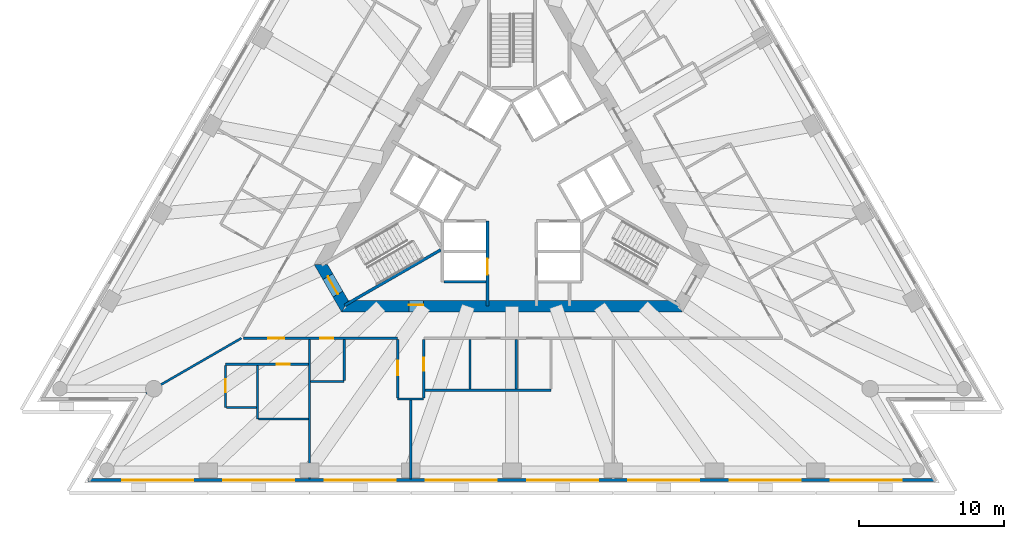
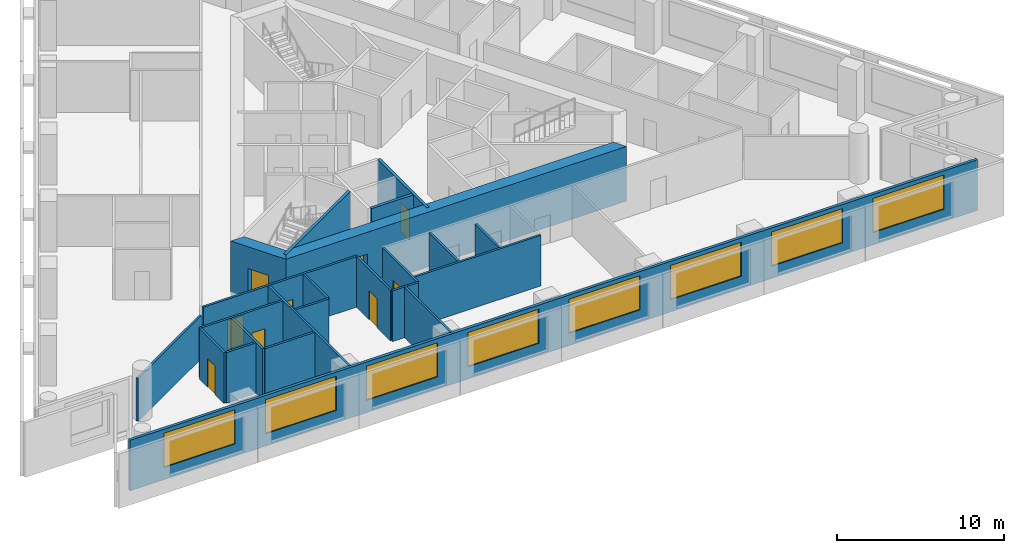
# One storey, part 3 of 10: 23 walls, 9 doors, 8 windows, 17 openings.
"""IFC4 building model written with IfcOpenShell, lengths in metres."""

from ifc_helpers import new_model, si_unit, direction, frame, frame_2d, origin, place, context, subcontext, project, spatial, polyline, rectangle, outline, extrude, material, layer, layer_set, layer_usage, type_object, element, fill, save


model = new_model("IFC4")

# Units and contexts
model_context = context("Model", 3, precision=1e-05, world=origin(), true_north=direction((0.0, 1.0)))
body_context = subcontext(model_context, "Body", "Model", "MODEL_VIEW")
ifc_project = project(units=[si_unit("LENGTHUNIT", "METRE"), si_unit("AREAUNIT", "SQUARE_METRE"), si_unit("VOLUMEUNIT", "CUBIC_METRE"), si_unit("PLANEANGLEUNIT", "RADIAN"), si_unit("MASSUNIT", "GRAM", prefix="KILO")], contexts=[model_context])

# Site, building, storey
site_placement = place(None, origin())
site = spatial("IfcSite", under=ifc_project, at=site_placement, CompositionType="ELEMENT")
building_placement = place(site_placement, origin())
building = spatial("IfcBuilding", under=site, at=building_placement, Name="Triada Interchange Tower", CompositionType="ELEMENT")
storey_placement = place(building_placement, frame((0.0, 0.0, 112.300048828125)))
storey = spatial("IfcBuildingStorey", under=building, at=storey_placement, Name="L25", CompositionType="ELEMENT", Elevation=112.300048828125)

# Wall
ifc_material_1 = material(Name="Concrete C30/37", Category="concrete")
ifc_layer_1 = layer(ifc_material_1, 0.199951171875)
ifc_layer_set_1 = layer_set([ifc_layer_1], Name="CORE WALL 200 EI 120")
wall_type_1 = type_object("IfcWallType", Name="CORE WALL 200 EI 120", PredefinedType="SOLIDWALL", material=ifc_layer_set_1)
wall_1_placement = place(storey_placement, frame((-4.699951171875, -6.89990234375, 0.0), z_axis=(0.0, 0.0, 1.0), x_axis=(1.0, 0.0, 0.0)))
element("IfcWall", 1, at=wall_1_placement, inside=storey, type_object=wall_type_1, Name="Wall L23 69", PredefinedType="SOLIDWALL", context=body_context, shape_type="SweptSolid", body=[
    extrude(rectangle(XDim=2.89990234375, YDim=0.199951171875, at=frame_2d((1.449951171875, 0.0))), origin(), (0.0, 0.0, 1.0), 3.699951171875),
])

# Wall, opening, door
wall_2_placement = place(storey_placement, frame((-1.699951171875, -8.580078125, 0.0), z_axis=(0.0, 0.0, 1.0), x_axis=(0.0, 1.0, 0.0)))
wall_2 = element("IfcWall", 2, at=wall_2_placement, inside=storey, type_object=wall_type_1, Name="Wall L23 71", PredefinedType="SOLIDWALL", context=body_context, shape_type="SweptSolid", body=[
    extrude(rectangle(XDim=5.877197265625, YDim=0.199951171875, at=frame_2d((2.9384765625, 0.0))), origin(), (0.0, 0.0, 1.0), 3.699951171875),
])
opening_1_placement = place(wall_2_placement, frame((2.179931640625, 0.0, 0.0)))
opening_1 = element("IfcOpeningElement", 3, at=opening_1_placement, cuts=wall_2, Name="Opening LD-LR4", PredefinedType="OPENING", context=body_context, shape_type="SweptSolid", body=[
    extrude(rectangle(XDim=1.10009765625, YDim=2.10009765625, at=frame_2d((0.550048828125, 1.050048828125))), frame((0.0, 0.10986328125, 0.0), z_axis=(0.0, -1.0, 0.0), x_axis=(1.0, 0.0, 0.0)), (0.0, 0.0, 1.0), 0.219970703125),
])
ifc_material_2 = material(Name="Steel S235 door leaf", Category="steel")
door_type_1 = type_object("IfcDoorType", Name="LIFT LANDING DOOR 1100 EI 120", OperationType="SLIDING_TO_LEFT", PredefinedType="DOOR", material=ifc_material_2)
door_1_placement = place(opening_1_placement, origin())
door_1 = element("IfcDoor", 4, at=door_1_placement, inside=storey, type_object=door_type_1, Name="LR4 landing door L25", OperationType="SLIDING_TO_LEFT", OverallHeight=2.10009765625, OverallWidth=1.10009765625, PredefinedType="DOOR", context=body_context, shape_type="SweptSolid", body=[
    extrude(rectangle(XDim=1.10009765625, YDim=2.10009765625, at=frame_2d((0.550048828125, 1.050048828125))), frame((0.0, 0.02490234375, 0.0), z_axis=(0.0, -1.0, 0.0), x_axis=(1.0, 0.0, 0.0)), (0.0, 0.0, 1.0), 0.050048828125),
])
fill(opening_1, door_1)

# Wall
ifc_layer_2 = layer(ifc_material_1, 0.199951171875)
ifc_layer_set_2 = layer_set([ifc_layer_2], Name="CORE WALL 200 REI 240")
wall_type_2 = type_object("IfcWallType", Name="CORE WALL 200 REI 240", PredefinedType="SOLIDWALL", material=ifc_layer_set_2)
wall_3_placement = place(storey_placement, frame((-11.56689453125, -8.52587890625, 0.0), z_axis=(0.0, 0.0, 1.0), x_axis=(0.866005769735, 0.50003400563, 0.0)))
element("IfcWall", 5, at=wall_3_placement, inside=storey, type_object=wall_type_2, Name="Wall L23 105", PredefinedType="SOLIDWALL", context=body_context, shape_type="SweptSolid", body=[
    extrude(rectangle(XDim=7.6650390625, YDim=0.199951171875, at=frame_2d((3.83251953125, 0.0))), origin(), (0.0, 0.0, 1.0), 3.699951171875),
])

# Wall, opening, door
ifc_material_3 = material(Name="Concrete C60/75", Category="concrete")
ifc_layer_3 = layer(ifc_material_3, 0.800048828125)
ifc_layer_set_3 = layer_set([ifc_layer_3], Name="Core wall B 800")
wall_type_3 = type_object("IfcWallType", Name="Core wall B 800", PredefinedType="SHEAR", material=ifc_layer_set_3)
wall_4_placement = place(storey_placement, frame((-13.220947265625, -5.699951171875, -0.300048828125), z_axis=(0.0, 0.0, 1.0), x_axis=(0.49987182685, -0.866099391942, 0.0)))
wall_4 = element("IfcWall", 6, at=wall_4_placement, inside=storey, type_object=wall_type_3, Name="Core wall WB03 L25", PredefinedType="SHEAR", context=body_context, shape_type="SweptSolid", body=[
    extrude(outline(polyline([(-0.23095703125, -0.39990234375), (1.674072265625, -0.39990234375), (3.5791015625, -0.39990234375), (3.117919921875, 0.39990234375), (1.67431640625, 0.39990234375), (0.23095703125, 0.39990234375), (-0.23095703125, -0.39990234375)])), origin(), (0.0, 0.0, 1.0), 4.0),
])
opening_2_placement = place(wall_4_placement, frame((0.97412109375, 0.0, 0.300048828125)))
opening_2 = element("IfcOpeningElement", 7, at=opening_2_placement, cuts=wall_4, Name="Opening D23-44", PredefinedType="OPENING", context=body_context, shape_type="SweptSolid", body=[
    extrude(rectangle(XDim=1.39990234375, YDim=2.10009765625, at=frame_2d((0.699951171875, 1.050048828125))), frame((0.0, 0.409912109375, 0.0), z_axis=(0.0, -1.0, 0.0), x_axis=(1.0, 0.0, 0.0)), (0.0, 0.0, 1.0), 0.820068359375),
])
door_type_2 = type_object("IfcDoorType", Name="STAIR DOOR 1400 EI2 90-C5S200", OperationType="DOUBLE_DOOR_SINGLE_SWING", PredefinedType="DOOR", material=ifc_material_2)
door_2_placement = place(opening_2_placement, origin())
door_2 = element("IfcDoor", 8, at=door_2_placement, inside=storey, type_object=door_type_2, Name="Door D23-44 L25", OperationType="DOUBLE_DOOR_SINGLE_SWING", OverallHeight=2.10009765625, OverallWidth=1.39990234375, PredefinedType="DOOR", context=body_context, shape_type="SweptSolid", body=[
    extrude(rectangle(XDim=1.39990234375, YDim=2.10009765625, at=frame_2d((0.699951171875, 1.050048828125))), frame((0.0, 0.02490234375, 0.0), z_axis=(0.0, -1.0, 0.0), x_axis=(1.0, 0.0, 0.0)), (0.0, 0.0, 1.0), 0.050048828125),
])
fill(opening_2, door_2)

wall_5_placement = place(storey_placement, frame((-11.547119140625, -8.60009765625, -0.300048828125), z_axis=(0.0, 0.0, 1.0), x_axis=(1.0, 0.0, 0.0)))
wall_5 = element("IfcWall", 9, at=wall_5_placement, inside=storey, type_object=wall_type_3, Name="Core wall WB04 L25", PredefinedType="SHEAR", context=body_context, shape_type="SweptSolid", body=[
    extrude(outline(polyline([(-0.23095703125, -0.39990234375), (1.73193359375, -0.39990234375), (3.695068359375, -0.39990234375), (5.657958984375, -0.39990234375), (7.62109375, -0.39990234375), (9.583984375, -0.39990234375), (11.546875, -0.39990234375), (13.510009765625, -0.39990234375), (15.472900390625, -0.39990234375), (17.43603515625, -0.39990234375), (19.39892578125, -0.39990234375), (21.362060546875, -0.39990234375), (23.324951171875, -0.39990234375), (22.863037109375, 0.39990234375), (20.97705078125, 0.39990234375), (19.091064453125, 0.39990234375), (17.205078125, 0.39990234375), (15.319091796875, 0.39990234375), (13.43310546875, 0.39990234375), (11.546875, 0.39990234375), (9.660888671875, 0.39990234375), (7.77490234375, 0.39990234375), (5.888916015625, 0.39990234375), (4.0029296875, 0.39990234375), (2.116943359375, 0.39990234375), (0.23095703125, 0.39990234375), (-0.23095703125, -0.39990234375)])), origin(), (0.0, 0.0, 1.0), 4.0),
])
opening_3_placement = place(wall_5_placement, frame((4.4140625, 0.0, 0.300048828125)))
opening_3 = element("IfcOpeningElement", 10, at=opening_3_placement, cuts=wall_5, Name="Opening D23-47", PredefinedType="OPENING", context=body_context, shape_type="SweptSolid", body=[
    extrude(rectangle(XDim=1.0, YDim=2.10009765625, at=frame_2d((0.5, 1.050048828125))), frame((0.0, 0.409912109375, 0.0), z_axis=(0.0, -1.0, 0.0), x_axis=(1.0, 0.0, 0.0)), (0.0, 0.0, 1.0), 0.820068359375),
])
door_type_3 = type_object("IfcDoorType", Name="SERVICE DOOR 1000 EI2 45-C5S200", OperationType="NOTDEFINED", PredefinedType="DOOR", material=ifc_material_2)
door_3_placement = place(opening_3_placement, origin())
door_3 = element("IfcDoor", 11, at=door_3_placement, inside=storey, type_object=door_type_3, Name="Door D23-47 L25", OperationType="SINGLE_SWING_LEFT", OverallHeight=2.10009765625, OverallWidth=1.0, PredefinedType="DOOR", context=body_context, shape_type="SweptSolid", body=[
    extrude(rectangle(XDim=1.0, YDim=2.10009765625, at=frame_2d((0.5, 1.050048828125))), frame((0.0, 0.125, 0.0), z_axis=(0.0, -1.0, 0.0), x_axis=(1.0, 0.0, 0.0)), (0.0, 0.0, 1.0), 0.050048828125),
])
fill(opening_3, door_3)

# Wall, openings, windows
ifc_material_4 = material(Name="Cement board")
ifc_layer_4 = layer(ifc_material_4, 0.02001953125, Name="Cement board cladding")
ifc_material_5 = material(Name="Sheathing board")
ifc_layer_5 = layer(ifc_material_5, 0.014892578125, Name="Sheathing board")
ifc_material_6 = material(Name="Mineral wool")
ifc_layer_6 = layer(ifc_material_6, 0.14990234375, Name="Mineral wool between steel studs")
ifc_material_7 = material(Name="Gypsum board")
ifc_layer_7 = layer(ifc_material_7, 0.014892578125, Name="Plasterboard lining")
ifc_layer_set_4 = layer_set([ifc_layer_4, ifc_layer_5, ifc_layer_6, ifc_layer_7], Name="External wall 200")
ifc_layer_usage = layer_usage(ifc_layer_set_4, "AXIS2", "POSITIVE", -0.10009765625)
wall_type_4 = type_object("IfcWallType", Name="External wall 200", PredefinedType="ELEMENTEDWALL", material=ifc_layer_set_4)
wall_6_placement = place(storey_placement, frame((-29.31005859375, -20.616943359375, 0.0), z_axis=(0.0, 0.0, 1.0), x_axis=(1.0, 0.0, 0.0)))
wall_6 = element("IfcWall", 12, at=wall_6_placement, inside=storey, type_object=wall_type_4, material=ifc_layer_usage, Name="External wall L25 S", PredefinedType="ELEMENTEDWALL", context=body_context, shape_type="SweptSolid", body=[
    extrude(rectangle(XDim=58.60009765625, YDim=0.199951171875, at=frame_2d((29.300048828125, 0.0))), origin(), (0.0, 0.0, 1.0), 3.699951171875),
])
opening_4_placement = place(wall_6_placement, frame((2.35400390625, 0.0, 0.89990234375)))
opening_4 = element("IfcOpeningElement", 13, at=opening_4_placement, cuts=wall_6, Name="Opening WB11", PredefinedType="OPENING", context=body_context, shape_type="SweptSolid", body=[
    extrude(rectangle(XDim=4.89990234375, YDim=2.5, at=frame_2d((2.449951171875, 1.25))), frame((0.0, 0.10986328125, 0.0), z_axis=(0.0, -1.0, 0.0), x_axis=(1.0, 0.0, 0.0)), (0.0, 0.0, 1.0), 0.219970703125),
])
opening_5_placement = place(wall_6_placement, frame((9.35595703125, 0.0, 0.89990234375)))
opening_5 = element("IfcOpeningElement", 14, at=opening_5_placement, cuts=wall_6, Name="Opening WB12", PredefinedType="OPENING", context=body_context, shape_type="SweptSolid", body=[
    extrude(rectangle(XDim=4.89990234375, YDim=2.5, at=frame_2d((2.449951171875, 1.25))), frame((0.0, 0.10986328125, 0.0), z_axis=(0.0, -1.0, 0.0), x_axis=(1.0, 0.0, 0.0)), (0.0, 0.0, 1.0), 0.219970703125),
])
opening_6_placement = place(wall_6_placement, frame((16.35693359375, 0.0, 0.89990234375)))
opening_6 = element("IfcOpeningElement", 15, at=opening_6_placement, cuts=wall_6, Name="Opening WB13", PredefinedType="OPENING", context=body_context, shape_type="SweptSolid", body=[
    extrude(rectangle(XDim=4.89990234375, YDim=2.5, at=frame_2d((2.449951171875, 1.25))), frame((0.0, 0.10986328125, 0.0), z_axis=(0.0, -1.0, 0.0), x_axis=(1.0, 0.0, 0.0)), (0.0, 0.0, 1.0), 0.219970703125),
])
opening_7_placement = place(wall_6_placement, frame((23.35888671875, 0.0, 0.89990234375)))
opening_7 = element("IfcOpeningElement", 16, at=opening_7_placement, cuts=wall_6, Name="Opening WB14", PredefinedType="OPENING", context=body_context, shape_type="SweptSolid", body=[
    extrude(rectangle(XDim=4.89990234375, YDim=2.5, at=frame_2d((2.449951171875, 1.25))), frame((0.0, 0.10986328125, 0.0), z_axis=(0.0, -1.0, 0.0), x_axis=(1.0, 0.0, 0.0)), (0.0, 0.0, 1.0), 0.219970703125),
])
opening_8_placement = place(wall_6_placement, frame((30.361083984375, 0.0, 0.89990234375)))
opening_8 = element("IfcOpeningElement", 17, at=opening_8_placement, cuts=wall_6, Name="Opening WB15", PredefinedType="OPENING", context=body_context, shape_type="SweptSolid", body=[
    extrude(rectangle(XDim=4.89990234375, YDim=2.5, at=frame_2d((2.449951171875, 1.25))), frame((0.0, 0.10986328125, 0.0), z_axis=(0.0, -1.0, 0.0), x_axis=(1.0, 0.0, 0.0)), (0.0, 0.0, 1.0), 0.219970703125),
])
opening_9_placement = place(wall_6_placement, frame((37.363037109375, 0.0, 0.89990234375)))
opening_9 = element("IfcOpeningElement", 18, at=opening_9_placement, cuts=wall_6, Name="Opening WB16", PredefinedType="OPENING", context=body_context, shape_type="SweptSolid", body=[
    extrude(rectangle(XDim=4.89990234375, YDim=2.5, at=frame_2d((2.449951171875, 1.25))), frame((0.0, 0.10986328125, 0.0), z_axis=(0.0, -1.0, 0.0), x_axis=(1.0, 0.0, 0.0)), (0.0, 0.0, 1.0), 0.219970703125),
])
opening_10_placement = place(wall_6_placement, frame((44.364013671875, 0.0, 0.89990234375)))
opening_10 = element("IfcOpeningElement", 19, at=opening_10_placement, cuts=wall_6, Name="Opening WB17", PredefinedType="OPENING", context=body_context, shape_type="SweptSolid", body=[
    extrude(rectangle(XDim=4.89990234375, YDim=2.5, at=frame_2d((2.449951171875, 1.25))), frame((0.0, 0.10986328125, 0.0), z_axis=(0.0, -1.0, 0.0), x_axis=(1.0, 0.0, 0.0)), (0.0, 0.0, 1.0), 0.219970703125),
])
opening_11_placement = place(wall_6_placement, frame((51.365966796875, 0.0, 0.89990234375)))
opening_11 = element("IfcOpeningElement", 20, at=opening_11_placement, cuts=wall_6, Name="Opening WB18", PredefinedType="OPENING", context=body_context, shape_type="SweptSolid", body=[
    extrude(rectangle(XDim=4.89990234375, YDim=2.5, at=frame_2d((2.449951171875, 1.25))), frame((0.0, 0.10986328125, 0.0), z_axis=(0.0, -1.0, 0.0), x_axis=(1.0, 0.0, 0.0)), (0.0, 0.0, 1.0), 0.219970703125),
])
ifc_material_8 = material(Name="Double glazed aluminium window", Category="aluminium")
window_type = type_object("IfcWindowType", Name="Ribbon window B face", PartitioningType="SINGLE_PANEL", PredefinedType="WINDOW", material=ifc_material_8)
window_1_placement = place(opening_4_placement, origin())
window_1 = element("IfcWindow", 21, at=window_1_placement, inside=storey, type_object=window_type, Name="Window L25 S 1", OverallHeight=2.5, OverallWidth=4.89990234375, PartitioningType="SINGLE_PANEL", PredefinedType="WINDOW", context=body_context, shape_type="SweptSolid", body=[
    extrude(rectangle(XDim=4.89990234375, YDim=2.5, at=frame_2d((2.449951171875, 1.25))), frame((0.0, 0.030029296875, 0.0), z_axis=(0.0, -1.0, 0.0), x_axis=(1.0, 0.0, 0.0)), (0.0, 0.0, 1.0), 0.06005859375),
])
fill(opening_4, window_1)
window_2_placement = place(opening_5_placement, origin())
window_2 = element("IfcWindow", 22, at=window_2_placement, inside=storey, type_object=window_type, Name="Window L25 S 2", OverallHeight=2.5, OverallWidth=4.89990234375, PartitioningType="SINGLE_PANEL", PredefinedType="WINDOW", context=body_context, shape_type="SweptSolid", body=[
    extrude(rectangle(XDim=4.89990234375, YDim=2.5, at=frame_2d((2.449951171875, 1.25))), frame((0.0, 0.030029296875, 0.0), z_axis=(0.0, -1.0, 0.0), x_axis=(1.0, 0.0, 0.0)), (0.0, 0.0, 1.0), 0.06005859375),
])
fill(opening_5, window_2)
window_3_placement = place(opening_6_placement, origin())
window_3 = element("IfcWindow", 23, at=window_3_placement, inside=storey, type_object=window_type, Name="Window L25 S 3", OverallHeight=2.5, OverallWidth=4.89990234375, PartitioningType="SINGLE_PANEL", PredefinedType="WINDOW", context=body_context, shape_type="SweptSolid", body=[
    extrude(rectangle(XDim=4.89990234375, YDim=2.5, at=frame_2d((2.449951171875, 1.25))), frame((0.0, 0.030029296875, 0.0), z_axis=(0.0, -1.0, 0.0), x_axis=(1.0, 0.0, 0.0)), (0.0, 0.0, 1.0), 0.06005859375),
])
fill(opening_6, window_3)
window_4_placement = place(opening_7_placement, origin())
window_4 = element("IfcWindow", 24, at=window_4_placement, inside=storey, type_object=window_type, Name="Window L25 S 4", OverallHeight=2.5, OverallWidth=4.89990234375, PartitioningType="SINGLE_PANEL", PredefinedType="WINDOW", context=body_context, shape_type="SweptSolid", body=[
    extrude(rectangle(XDim=4.89990234375, YDim=2.5, at=frame_2d((2.449951171875, 1.25))), frame((0.0, 0.030029296875, 0.0), z_axis=(0.0, -1.0, 0.0), x_axis=(1.0, 0.0, 0.0)), (0.0, 0.0, 1.0), 0.06005859375),
])
fill(opening_7, window_4)
window_5_placement = place(opening_8_placement, origin())
window_5 = element("IfcWindow", 25, at=window_5_placement, inside=storey, type_object=window_type, Name="Window L25 S 5", OverallHeight=2.5, OverallWidth=4.89990234375, PartitioningType="SINGLE_PANEL", PredefinedType="WINDOW", context=body_context, shape_type="SweptSolid", body=[
    extrude(rectangle(XDim=4.89990234375, YDim=2.5, at=frame_2d((2.449951171875, 1.25))), frame((0.0, 0.030029296875, 0.0), z_axis=(0.0, -1.0, 0.0), x_axis=(1.0, 0.0, 0.0)), (0.0, 0.0, 1.0), 0.06005859375),
])
fill(opening_8, window_5)
window_6_placement = place(opening_9_placement, origin())
window_6 = element("IfcWindow", 26, at=window_6_placement, inside=storey, type_object=window_type, Name="Window L25 S 6", OverallHeight=2.5, OverallWidth=4.89990234375, PartitioningType="SINGLE_PANEL", PredefinedType="WINDOW", context=body_context, shape_type="SweptSolid", body=[
    extrude(rectangle(XDim=4.89990234375, YDim=2.5, at=frame_2d((2.449951171875, 1.25))), frame((0.0, 0.030029296875, 0.0), z_axis=(0.0, -1.0, 0.0), x_axis=(1.0, 0.0, 0.0)), (0.0, 0.0, 1.0), 0.06005859375),
])
fill(opening_9, window_6)
window_7_placement = place(opening_10_placement, origin())
window_7 = element("IfcWindow", 27, at=window_7_placement, inside=storey, type_object=window_type, Name="Window L25 S 7", OverallHeight=2.5, OverallWidth=4.89990234375, PartitioningType="SINGLE_PANEL", PredefinedType="WINDOW", context=body_context, shape_type="SweptSolid", body=[
    extrude(rectangle(XDim=4.89990234375, YDim=2.5, at=frame_2d((2.449951171875, 1.25))), frame((0.0, 0.030029296875, 0.0), z_axis=(0.0, -1.0, 0.0), x_axis=(1.0, 0.0, 0.0)), (0.0, 0.0, 1.0), 0.06005859375),
])
fill(opening_10, window_7)
window_8_placement = place(opening_11_placement, origin())
window_8 = element("IfcWindow", 28, at=window_8_placement, inside=storey, type_object=window_type, Name="Window L25 S 8", OverallHeight=2.5, OverallWidth=4.89990234375, PartitioningType="SINGLE_PANEL", PredefinedType="WINDOW", context=body_context, shape_type="SweptSolid", body=[
    extrude(rectangle(XDim=4.89990234375, YDim=2.5, at=frame_2d((2.449951171875, 1.25))), frame((0.0, 0.030029296875, 0.0), z_axis=(0.0, -1.0, 0.0), x_axis=(1.0, 0.0, 0.0)), (0.0, 0.0, 1.0), 0.06005859375),
])
fill(opening_11, window_8)

# Wall
ifc_material_9 = material(Name="Gypsum board partition")
ifc_layer_8 = layer(ifc_material_9, 0.14990234375)
ifc_layer_set_5 = layer_set([ifc_layer_8], Name="PARTITION 150 EI 180")
wall_type_5 = type_object("IfcWallType", Name="PARTITION 150 EI 180", PredefinedType="PARTITIONING", material=ifc_layer_set_5)
wall_7_placement = place(storey_placement, frame((-25.299072265625, -14.60595703125, 0.0), z_axis=(0.0, 0.0, 1.0), x_axis=(0.866002408008, 0.500039827738, 0.0)))
element("IfcWall", 29, at=wall_7_placement, inside=storey, type_object=wall_type_5, Name="Wall L23 1", PredefinedType="PARTITIONING", context=body_context, shape_type="SweptSolid", body=[
    extrude(rectangle(XDim=7.61328125, YDim=0.14990234375, at=frame_2d((3.806640625, 0.0))), origin(), (0.0, 0.0, 1.0), 3.14990234375),
])

# Wall, openings, doors
wall_8_placement = place(storey_placement, frame((-18.555908203125, -10.800048828125, 0.0), z_axis=(0.0, 0.0, 1.0), x_axis=(1.0, 0.0, 0.0)))
wall_8 = element("IfcWall", 30, at=wall_8_placement, inside=storey, type_object=wall_type_5, Name="Wall L23 4", PredefinedType="PARTITIONING", context=body_context, shape_type="SweptSolid", body=[
    extrude(rectangle(XDim=10.65283203125, YDim=0.14990234375, at=frame_2d((5.326416015625, 0.0))), origin(), (0.0, 0.0, 1.0), 3.699951171875),
])
opening_12_placement = place(wall_8_placement, frame((1.699951171875, 0.0, 0.0)))
opening_12 = element("IfcOpeningElement", 31, at=opening_12_placement, cuts=wall_8, Name="Opening D23-11", PredefinedType="OPENING", context=body_context, shape_type="SweptSolid", body=[
    extrude(rectangle(XDim=1.10009765625, YDim=2.10009765625, at=frame_2d((0.550048828125, 1.050048828125))), frame((0.0, 0.0849609375, 0.0), z_axis=(0.0, -1.0, 0.0), x_axis=(1.0, 0.0, 0.0)), (0.0, 0.0, 1.0), 0.169921875),
])
opening_13_placement = place(wall_8_placement, frame((5.302001953125, 0.0, 0.0)))
opening_13 = element("IfcOpeningElement", 32, at=opening_13_placement, cuts=wall_8, Name="Opening D23-15", PredefinedType="OPENING", context=body_context, shape_type="SweptSolid", body=[
    extrude(rectangle(XDim=0.89990234375, YDim=2.10009765625, at=frame_2d((0.449951171875, 1.050048828125))), frame((0.0, 0.0849609375, 0.0), z_axis=(0.0, -1.0, 0.0), x_axis=(1.0, 0.0, 0.0)), (0.0, 0.0, 1.0), 0.169921875),
])
door_type_4 = type_object("IfcDoorType", Name="SERVICE DOOR 900 EI2 90-C5S200", OperationType="NOTDEFINED", PredefinedType="DOOR", material=ifc_material_2)
door_4_placement = place(opening_13_placement, origin())
door_4 = element("IfcDoor", 33, at=door_4_placement, inside=storey, type_object=door_type_4, Name="Door D23-15 L25", OperationType="SINGLE_SWING_RIGHT", OverallHeight=2.10009765625, OverallWidth=0.89990234375, PredefinedType="DOOR", context=body_context, shape_type="SweptSolid", body=[
    extrude(rectangle(XDim=0.89990234375, YDim=2.10009765625, at=frame_2d((0.449951171875, 1.050048828125))), frame((0.0, 0.02490234375, 0.0), z_axis=(0.0, -1.0, 0.0), x_axis=(1.0, 0.0, 0.0)), (0.0, 0.0, 1.0), 0.050048828125),
])
fill(opening_13, door_4)
door_type_5 = type_object("IfcDoorType", Name="TENANCY ENTRANCE DOOR 1100 EI2 90-C5S200", OperationType="NOTDEFINED", PredefinedType="DOOR", material=ifc_material_2)
door_5_placement = place(opening_12_placement, origin())
door_5 = element("IfcDoor", 34, at=door_5_placement, inside=storey, type_object=door_type_5, Name="Door D23-11 L25", OperationType="SINGLE_SWING_RIGHT", OverallHeight=2.10009765625, OverallWidth=1.10009765625, PredefinedType="DOOR", context=body_context, shape_type="SweptSolid", body=[
    extrude(rectangle(XDim=1.10009765625, YDim=2.10009765625, at=frame_2d((0.550048828125, 1.050048828125))), frame((0.0, 0.02490234375, 0.0), z_axis=(0.0, -1.0, 0.0), x_axis=(1.0, 0.0, 0.0)), (0.0, 0.0, 1.0), 0.050048828125),
])
fill(opening_12, door_5)

# Walls
wall_9_placement = place(storey_placement, frame((-14.00390625, -20.537109375, 0.0), z_axis=(0.0, 0.0, 1.0), x_axis=(0.0, 1.0, 0.0)))
element("IfcWall", 35, at=wall_9_placement, inside=storey, type_object=wall_type_5, Name="Wall L23 9", PredefinedType="PARTITIONING", context=body_context, shape_type="SweptSolid", body=[
    extrude(rectangle(XDim=9.662109375, YDim=0.14990234375, at=frame_2d((4.8310546875, 0.0))), origin(), (0.0, 0.0, 1.0), 3.699951171875),
])
wall_10_placement = place(storey_placement, frame((-13.928955078125, -13.800048828125, 0.0), z_axis=(0.0, 0.0, 1.0), x_axis=(1.0, 0.0, 0.0)))
element("IfcWall", 36, at=wall_10_placement, inside=storey, type_object=wall_type_5, Name="Wall L23 10", PredefinedType="PARTITIONING", context=body_context, shape_type="SweptSolid", body=[
    extrude(rectangle(XDim=2.324951171875, YDim=0.14990234375, at=frame_2d((1.16259765625, 0.0))), origin(), (0.0, 0.0, 1.0), 3.699951171875),
])
wall_11_placement = place(storey_placement, frame((-11.60400390625, -13.72509765625, 0.0), z_axis=(0.0, 0.0, 1.0), x_axis=(0.0, 1.0, 0.0)))
element("IfcWall", 37, at=wall_11_placement, inside=storey, type_object=wall_type_5, Name="Wall L23 11", PredefinedType="PARTITIONING", context=body_context, shape_type="SweptSolid", body=[
    extrude(rectangle(XDim=2.85009765625, YDim=0.14990234375, at=frame_2d((1.425048828125, 0.0))), origin(), (0.0, 0.0, 1.0), 3.699951171875),
])
wall_12_placement = place(storey_placement, frame((-7.902099609375, -15.0, 0.0), z_axis=(0.0, 0.0, 1.0), x_axis=(1.0, 0.0, 0.0)))
element("IfcWall", 38, at=wall_12_placement, inside=storey, type_object=wall_type_5, Name="Wall L23 14", PredefinedType="PARTITIONING", context=body_context, shape_type="SweptSolid", body=[
    extrude(rectangle(XDim=1.800048828125, YDim=0.14990234375, at=frame_2d((0.89990234375, 0.0))), origin(), (0.0, 0.0, 1.0), 3.699951171875),
])

# Wall, opening, door
wall_13_placement = place(storey_placement, frame((-7.902099609375, -14.925048828125, 0.0), z_axis=(0.0, 0.0, 1.0), x_axis=(0.0, 1.0, 0.0)))
wall_13 = element("IfcWall", 39, at=wall_13_placement, inside=storey, type_object=wall_type_5, Name="Wall L23 15", PredefinedType="PARTITIONING", context=body_context, shape_type="SweptSolid", body=[
    extrude(rectangle(XDim=4.049072265625, YDim=0.14990234375, at=frame_2d((2.0244140625, 0.0))), origin(), (0.0, 0.0, 1.0), 3.699951171875),
])
opening_14_placement = place(wall_13_placement, frame((1.574951171875, 0.0, 0.0)))
opening_14 = element("IfcOpeningElement", 40, at=opening_14_placement, cuts=wall_13, Name="Opening D23-14", PredefinedType="OPENING", context=body_context, shape_type="SweptSolid", body=[
    extrude(rectangle(XDim=1.0, YDim=2.10009765625, at=frame_2d((0.5, 1.050048828125))), frame((0.0, 0.0849609375, 0.0), z_axis=(0.0, -1.0, 0.0), x_axis=(1.0, 0.0, 0.0)), (0.0, 0.0, 1.0), 0.169921875),
])
door_type_6 = type_object("IfcDoorType", Name="ROOM DOOR 1000 EI2 90-C5S200", OperationType="NOTDEFINED", PredefinedType="DOOR", material=ifc_material_2)
door_6_placement = place(opening_14_placement, origin())
door_6 = element("IfcDoor", 41, at=door_6_placement, inside=storey, type_object=door_type_6, Name="Door D23-14 L25", OperationType="SINGLE_SWING_LEFT", OverallHeight=2.10009765625, OverallWidth=1.0, PredefinedType="DOOR", context=body_context, shape_type="SweptSolid", body=[
    extrude(rectangle(XDim=1.0, YDim=2.10009765625, at=frame_2d((0.5, 1.050048828125))), frame((0.0, 0.02490234375, 0.0), z_axis=(0.0, -1.0, 0.0), x_axis=(1.0, 0.0, 0.0)), (0.0, 0.0, 1.0), 0.050048828125),
])
fill(opening_14, door_6)

# Wall
wall_14_placement = place(storey_placement, frame((-7.001953125, -20.537109375, 0.0), z_axis=(0.0, 0.0, 1.0), x_axis=(0.0, 1.0, 0.0)))
element("IfcWall", 42, at=wall_14_placement, inside=storey, type_object=wall_type_5, Name="Wall L23 18", PredefinedType="PARTITIONING", context=body_context, shape_type="SweptSolid", body=[
    extrude(rectangle(XDim=5.462158203125, YDim=0.14990234375, at=frame_2d((2.73095703125, 0.0))), origin(), (0.0, 0.0, 1.0), 3.699951171875),
])

# Wall, opening, door
wall_15_placement = place(storey_placement, frame((-6.10205078125, -14.925048828125, 0.0), z_axis=(0.0, 0.0, 1.0), x_axis=(0.0, 1.0, 0.0)))
wall_15 = element("IfcWall", 43, at=wall_15_placement, inside=storey, type_object=wall_type_5, Name="Wall L23 19", PredefinedType="PARTITIONING", context=body_context, shape_type="SweptSolid", body=[
    extrude(rectangle(XDim=4.049072265625, YDim=0.14990234375, at=frame_2d((2.0244140625, 0.0))), origin(), (0.0, 0.0, 1.0), 3.699951171875),
])
opening_15_placement = place(wall_15_placement, frame((1.875, 0.0, 0.0)))
opening_15 = element("IfcOpeningElement", 44, at=opening_15_placement, cuts=wall_15, Name="Opening D23-17", PredefinedType="OPENING", context=body_context, shape_type="SweptSolid", body=[
    extrude(rectangle(XDim=0.89990234375, YDim=2.10009765625, at=frame_2d((0.449951171875, 1.050048828125))), frame((0.0, 0.0849609375, 0.0), z_axis=(0.0, -1.0, 0.0), x_axis=(1.0, 0.0, 0.0)), (0.0, 0.0, 1.0), 0.169921875),
])
door_type_7 = type_object("IfcDoorType", Name="ROOM DOOR 900 EI2 90-C5S200", OperationType="NOTDEFINED", PredefinedType="DOOR", material=ifc_material_2)
door_7_placement = place(opening_15_placement, origin())
door_7 = element("IfcDoor", 45, at=door_7_placement, inside=storey, type_object=door_type_7, Name="Door D23-17 L25", OperationType="SINGLE_SWING_RIGHT", OverallHeight=2.10009765625, OverallWidth=0.89990234375, PredefinedType="DOOR", context=body_context, shape_type="SweptSolid", body=[
    extrude(rectangle(XDim=0.89990234375, YDim=2.10009765625, at=frame_2d((0.449951171875, 1.050048828125))), frame((0.0, 0.02490234375, 0.0), z_axis=(0.0, -1.0, 0.0), x_axis=(1.0, 0.0, 0.0)), (0.0, 0.0, 1.0), 0.050048828125),
])
fill(opening_15, door_7)

# Walls
wall_16_placement = place(storey_placement, frame((-6.027099609375, -14.39990234375, 0.0), z_axis=(0.0, 0.0, 1.0), x_axis=(1.0, 0.0, 0.0)))
element("IfcWall", 46, at=wall_16_placement, inside=storey, type_object=wall_type_5, Name="Wall L23 20", PredefinedType="PARTITIONING", context=body_context, shape_type="SweptSolid", body=[
    extrude(rectangle(XDim=8.72509765625, YDim=0.14990234375, at=frame_2d((4.362548828125, 0.0))), origin(), (0.0, 0.0, 1.0), 3.699951171875),
])
wall_17_placement = place(storey_placement, frame((-2.902099609375, -14.324951171875, 0.0), z_axis=(0.0, 0.0, 1.0), x_axis=(0.0, 1.0, 0.0)))
element("IfcWall", 47, at=wall_17_placement, inside=storey, type_object=wall_type_5, Name="Wall L23 21", PredefinedType="PARTITIONING", context=body_context, shape_type="SweptSolid", body=[
    extrude(rectangle(XDim=3.449951171875, YDim=0.14990234375, at=frame_2d((1.72509765625, 0.0))), origin(), (0.0, 0.0, 1.0), 3.699951171875),
])
wall_18_placement = place(storey_placement, frame((0.298095703125, -14.324951171875, 0.0), z_axis=(0.0, 0.0, 1.0), x_axis=(0.0, 1.0, 0.0)))
element("IfcWall", 48, at=wall_18_placement, inside=storey, type_object=wall_type_5, Name="Wall L23 26", PredefinedType="PARTITIONING", context=body_context, shape_type="SweptSolid", body=[
    extrude(rectangle(XDim=3.449951171875, YDim=0.14990234375, at=frame_2d((1.72509765625, 0.0))), origin(), (0.0, 0.0, 1.0), 3.199951171875),
])
ifc_layer_9 = layer(ifc_material_9, 0.14990234375)
ifc_layer_set_6 = layer_set([ifc_layer_9], Name="PARTITION 150 EI 90")
wall_type_6 = type_object("IfcWallType", Name="PARTITION 150 EI 90", PredefinedType="PARTITIONING", material=ifc_layer_set_6)
wall_19_placement = place(storey_placement, frame((-17.60400390625, -16.39990234375, 0.0), z_axis=(0.0, 0.0, 1.0), x_axis=(0.0, 1.0, 0.0)))
element("IfcWall", 49, at=wall_19_placement, inside=storey, type_object=wall_type_6, Name="Wall L23 47", PredefinedType="PARTITIONING", context=body_context, shape_type="SweptSolid", body=[
    extrude(rectangle(XDim=3.724853515625, YDim=0.14990234375, at=frame_2d((1.8623046875, 0.0))), origin(), (0.0, 0.0, 1.0), 3.699951171875),
])

# Wall, opening, door
wall_20_placement = place(storey_placement, frame((-19.803955078125, -12.60009765625, 0.0), z_axis=(0.0, 0.0, 1.0), x_axis=(1.0, 0.0, 0.0)))
wall_20 = element("IfcWall", 50, at=wall_20_placement, inside=storey, type_object=wall_type_6, Name="Wall L23 48", PredefinedType="PARTITIONING", context=body_context, shape_type="SweptSolid", body=[
    extrude(rectangle(XDim=5.724853515625, YDim=0.14990234375, at=frame_2d((2.8623046875, 0.0))), origin(), (0.0, 0.0, 1.0), 3.699951171875),
])
opening_16_placement = place(wall_20_placement, frame((3.550048828125, 0.0, 0.0)))
opening_16 = element("IfcOpeningElement", 51, at=opening_16_placement, cuts=wall_20, Name="Opening D23-12", PredefinedType="OPENING", context=body_context, shape_type="SweptSolid", body=[
    extrude(rectangle(XDim=0.89990234375, YDim=2.10009765625, at=frame_2d((0.449951171875, 1.050048828125))), frame((0.0, 0.0849609375, 0.0), z_axis=(0.0, -1.0, 0.0), x_axis=(1.0, 0.0, 0.0)), (0.0, 0.0, 1.0), 0.169921875),
])
door_type_8 = type_object("IfcDoorType", Name="ROOM DOOR 900 EI2 45-C5S200", OperationType="NOTDEFINED", PredefinedType="DOOR", material=ifc_material_2)
door_8_placement = place(opening_16_placement, origin())
door_8 = element("IfcDoor", 52, at=door_8_placement, inside=storey, type_object=door_type_8, Name="Door D23-12 L25", OperationType="SINGLE_SWING_LEFT", OverallHeight=2.10009765625, OverallWidth=0.89990234375, PredefinedType="DOOR", context=body_context, shape_type="SweptSolid", body=[
    extrude(rectangle(XDim=0.89990234375, YDim=2.10009765625, at=frame_2d((0.449951171875, 1.050048828125))), frame((0.0, 0.02490234375, 0.0), z_axis=(0.0, -1.0, 0.0), x_axis=(1.0, 0.0, 0.0)), (0.0, 0.0, 1.0), 0.050048828125),
])
fill(opening_16, door_8)

wall_21_placement = place(storey_placement, frame((-19.803955078125, -15.60009765625, 0.0), z_axis=(0.0, 0.0, 1.0), x_axis=(0.0, 1.0, 0.0)))
wall_21 = element("IfcWall", 53, at=wall_21_placement, inside=storey, type_object=wall_type_6, Name="Wall L23 49", PredefinedType="PARTITIONING", context=body_context, shape_type="SweptSolid", body=[
    extrude(rectangle(XDim=2.925048828125, YDim=0.14990234375, at=frame_2d((1.46240234375, 0.0))), origin(), (0.0, 0.0, 1.0), 3.699951171875),
])
opening_17_placement = place(wall_21_placement, frame((1.050048828125, 0.0, 0.0)))
opening_17 = element("IfcOpeningElement", 54, at=opening_17_placement, cuts=wall_21, Name="Opening D23-13", PredefinedType="OPENING", context=body_context, shape_type="SweptSolid", body=[
    extrude(rectangle(XDim=0.89990234375, YDim=2.10009765625, at=frame_2d((0.449951171875, 1.050048828125))), frame((0.0, 0.0849609375, 0.0), z_axis=(0.0, -1.0, 0.0), x_axis=(1.0, 0.0, 0.0)), (0.0, 0.0, 1.0), 0.169921875),
])
door_type_9 = type_object("IfcDoorType", Name="SERVICE DOOR 900 EI2 45-C5S200", OperationType="NOTDEFINED", PredefinedType="DOOR", material=ifc_material_2)
door_9_placement = place(opening_17_placement, origin())
door_9 = element("IfcDoor", 55, at=door_9_placement, inside=storey, type_object=door_type_9, Name="Door D23-13 L25", OperationType="SINGLE_SWING_LEFT", OverallHeight=2.10009765625, OverallWidth=0.89990234375, PredefinedType="DOOR", context=body_context, shape_type="SweptSolid", body=[
    extrude(rectangle(XDim=0.89990234375, YDim=2.10009765625, at=frame_2d((0.449951171875, 1.050048828125))), frame((0.0, 0.02490234375, 0.0), z_axis=(0.0, -1.0, 0.0), x_axis=(1.0, 0.0, 0.0)), (0.0, 0.0, 1.0), 0.050048828125),
])
fill(opening_17, door_9)

# Walls
wall_22_placement = place(storey_placement, frame((-19.72900390625, -15.60009765625, 0.0), z_axis=(0.0, 0.0, 1.0), x_axis=(1.0, 0.0, 0.0)))
element("IfcWall", 56, at=wall_22_placement, inside=storey, type_object=wall_type_6, Name="Wall L23 50", PredefinedType="PARTITIONING", context=body_context, shape_type="SweptSolid", body=[
    extrude(rectangle(XDim=2.050048828125, YDim=0.14990234375, at=frame_2d((1.02490234375, 0.0))), origin(), (0.0, 0.0, 1.0), 3.699951171875),
])
wall_23_placement = place(storey_placement, frame((-17.529052734375, -16.39990234375, 0.0), z_axis=(0.0, 0.0, 1.0), x_axis=(1.0, 0.0, 0.0)))
element("IfcWall", 57, at=wall_23_placement, inside=storey, type_object=wall_type_6, Name="Wall L23 51", PredefinedType="PARTITIONING", context=body_context, shape_type="SweptSolid", body=[
    extrude(rectangle(XDim=3.449951171875, YDim=0.14990234375, at=frame_2d((1.72509765625, 0.0))), origin(), (0.0, 0.0, 1.0), 3.699951171875),
])

save(model, "model.ifc")
